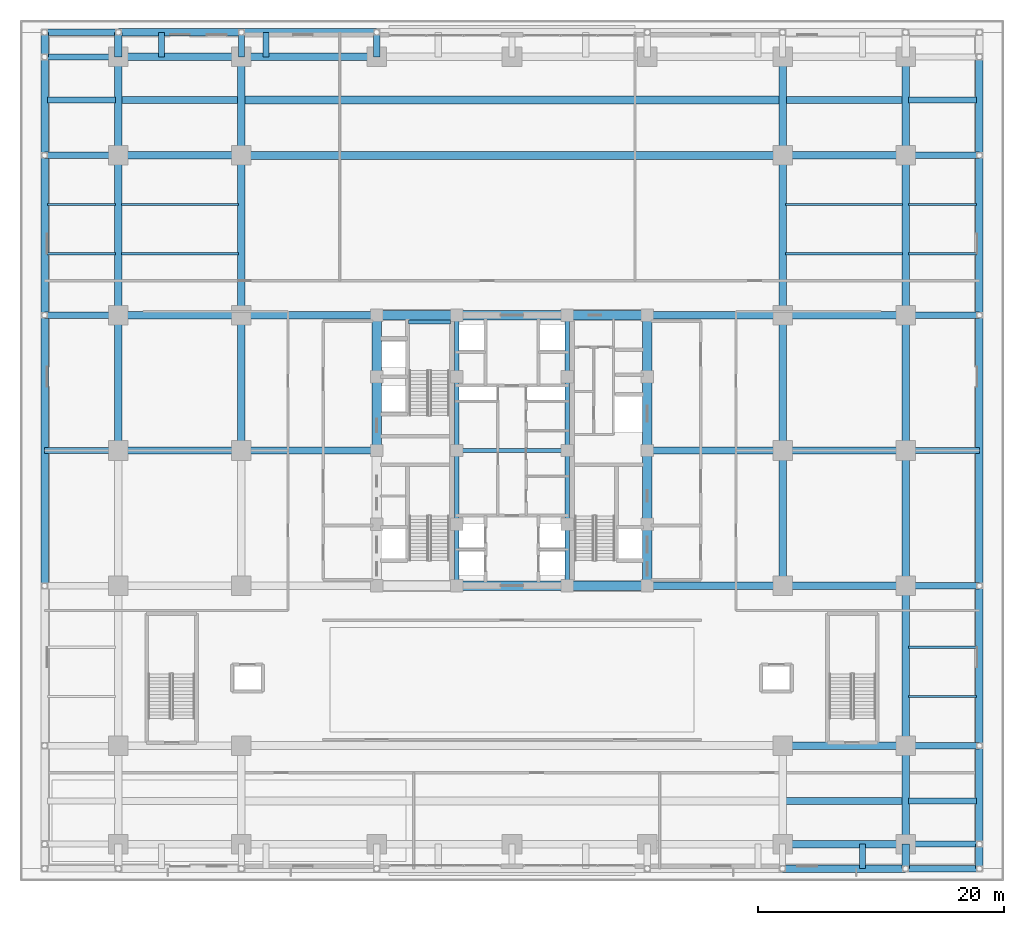
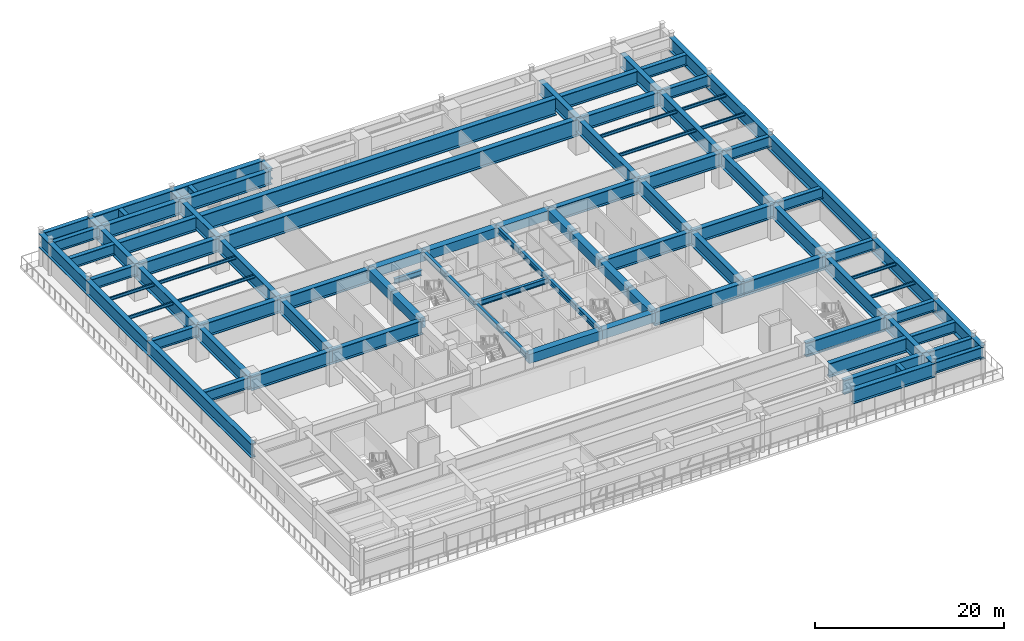
# One storey, part 16 of 35: 103 beams.
"""IFC4 building model written with IfcOpenShell, lengths in metres."""

import ifcopenshell
import ifcopenshell.guid

model = None  # the IFC model being written
_history = None  # IfcOwnerHistory: only IFC2X3 demands one
_inside = {}  # id of a spatial element -> (the spatial element, [elements in it])
_under = {}  # id of a project, library or spatial element -> (it, [spatial elements below it])
_declared = {}  # id of a project -> (the project, [libraries it declares])
_typed = {}  # id of a type object -> (the type object, [elements of that type])
_made_of = {}  # id of a material, layer set ... -> (it, [elements and type objects made of it])


def new_model(schema):
    """Start an empty IFC model of exactly this schema.

    Asked for "IFC4X3", IfcOpenShell would pick the latest addendum, in which some entities
    have other attributes; the version numbers below select the first issue.
    IFC2X3 requires an IfcOwnerHistory on every rooted entity: one is made here for all.
    """
    global model, _history
    if schema == "IFC4X3":
        model = ifcopenshell.file(schema_version=(4, 3, 0, 0))
    else:
        model = ifcopenshell.file(schema=schema)
    _inside.clear()
    _under.clear()
    _declared.clear()
    _typed.clear()
    _made_of.clear()
    _history = None
    if model.schema == "IFC2X3":
        org = make("IfcOrganization", Name="unknown")
        user = make(
            "IfcPersonAndOrganization",
            ThePerson=make("IfcPerson", FamilyName="unknown"),
            TheOrganization=org,
        )
        app = make(
            "IfcApplication",
            ApplicationDeveloper=org,
            Version="unknown",
            ApplicationFullName="unknown",
            ApplicationIdentifier="unknown",
        )
        _history = make(
            "IfcOwnerHistory",
            OwningUser=user,
            OwningApplication=app,
            ChangeAction="ADDED",
            CreationDate=0,
        )
    return model


def make(cls, **values):
    """One entity of the class cls with the attributes given. An attribute that is None is left unset."""
    return model.create_entity(
        cls, **{name: value for name, value in values.items() if value is not None}
    )


def rooted(cls, **values):
    """An entity with a GlobalId (a new one), such as an element, a storey or a relation."""
    return make(cls, GlobalId=ifcopenshell.guid.new(), OwnerHistory=_history, **values)


def si_unit(unit_type, name, prefix=None):
    """IfcSIUnit, for example si_unit("LENGTHUNIT", "METRE", prefix="MILLI")."""
    return make("IfcSIUnit", UnitType=unit_type, Prefix=prefix, Name=name)


def assignment(units):
    """IfcUnitAssignment: the units of a project."""
    return None if units is None else make("IfcUnitAssignment", Units=units)


def point(xyz):
    """IfcCartesianPoint."""
    return None if xyz is None else make("IfcCartesianPoint", Coordinates=xyz)


def direction(xyz):
    """IfcDirection."""
    return None if xyz is None else make("IfcDirection", DirectionRatios=xyz)


def frame(location, z_axis=None, x_axis=None):
    """IfcAxis2Placement3D, a coordinate frame: its origin and axes. An axis left out is left unset."""
    return make(
        "IfcAxis2Placement3D",
        Location=point(location),
        Axis=direction(z_axis),
        RefDirection=direction(x_axis),
    )


def frame_2d(location, x_axis=None):
    """IfcAxis2Placement2D, a coordinate frame in the plane: its origin and x axis."""
    return make(
        "IfcAxis2Placement2D", Location=point(location), RefDirection=direction(x_axis)
    )


def origin():
    """The frame at (0, 0, 0) with its axes left unset."""
    return frame((0.0, 0.0, 0.0))


def origin_2d():
    """The frame at (0, 0) in the plane with its x axis left unset."""
    return frame_2d((0.0, 0.0))


def place(relative_to, where):
    """IfcLocalPlacement: puts the frame where relative to a parent placement (None: the world)."""
    return make(
        "IfcLocalPlacement", PlacementRelTo=relative_to, RelativePlacement=where
    )


def context(
    kind, dimensions, precision=None, world=None, true_north=None, identifier=None
):
    """IfcGeometricRepresentationContext, for example the 3D "Model" context."""
    return make(
        "IfcGeometricRepresentationContext",
        ContextIdentifier=identifier,
        ContextType=kind,
        CoordinateSpaceDimension=dimensions,
        Precision=precision,
        WorldCoordinateSystem=world,
        TrueNorth=true_north,
    )


def subcontext(parent, identifier, kind, view, scale=None):
    """IfcGeometricRepresentationSubContext, for example "Body" below "Model"."""
    return make(
        "IfcGeometricRepresentationSubContext",
        ContextIdentifier=identifier,
        ContextType=kind,
        ParentContext=parent,
        TargetScale=scale,
        TargetView=view,
    )


def project(units=None, contexts=None):
    """IfcProject with its units and contexts."""
    return rooted(
        "IfcProject",
        Name="project",
        RepresentationContexts=contexts,
        UnitsInContext=assignment(units),
    )


def spatial(cls, under=None, at=None, **own):
    """A site, building, storey or space (cls), placed at a placement, below another one or the project."""
    s = rooted(cls, ObjectPlacement=at, **own)
    if under is not None:
        _under.setdefault(under.id(), (under, []))[1].append(s)
    return s


def profile(cls, at=None, kind="AREA", **sizes):
    """A parametric profile (cls). Its sizes go by their IFC names, for example OverallWidth=200.0."""
    return make(cls, ProfileType=kind, Position=at, **sizes)


def rectangle(**sizes):
    """IfcRectangleProfileDef."""
    return profile("IfcRectangleProfileDef", **sizes)


def i_section(**sizes):
    """IfcIShapeProfileDef."""
    return profile("IfcIShapeProfileDef", **sizes)


def extrude(swept, where, along, depth):
    """IfcExtrudedAreaSolid: the profile swept, set in the frame where, extruded along a direction by depth."""
    return make(
        "IfcExtrudedAreaSolid",
        SweptArea=swept,
        Position=where,
        ExtrudedDirection=direction(along),
        Depth=depth,
    )


def shape(context_of_items, identifier, shape_type, items):
    """IfcShapeRepresentation: the items that make up one representation, for example the "Body"."""
    return make(
        "IfcShapeRepresentation",
        ContextOfItems=context_of_items,
        RepresentationIdentifier=identifier,
        RepresentationType=shape_type,
        Items=items,
    )


def source(mapping_origin, context_of_items, identifier, shape_type, items):
    """IfcRepresentationMap: a shape defined once, which mapped items show again and again."""
    return make(
        "IfcRepresentationMap",
        MappingOrigin=mapping_origin,
        MappedRepresentation=shape(context_of_items, identifier, shape_type, items),
    )


def transform(
    local_origin,
    x_axis=None,
    y_axis=None,
    z_axis=None,
    scale=None,
    scale2=None,
    scale3=None,
    uniform=True,
):
    """IfcCartesianTransformationOperator3D, or its non-uniform kind. x_axis, y_axis, z_axis: its Axis1, 2, 3."""
    if uniform:
        return make(
            "IfcCartesianTransformationOperator3D",
            Axis1=direction(x_axis),
            Axis2=direction(y_axis),
            LocalOrigin=point(local_origin),
            Scale=scale,
            Axis3=direction(z_axis),
        )
    return make(
        "IfcCartesianTransformationOperator3DnonUniform",
        Axis1=direction(x_axis),
        Axis2=direction(y_axis),
        LocalOrigin=point(local_origin),
        Scale=scale,
        Axis3=direction(z_axis),
        Scale2=scale2,
        Scale3=scale3,
    )


def mapped(mapping_source, mapping_target):
    """IfcMappedItem: shows the shape of a source again, moved by a transform."""
    return make(
        "IfcMappedItem", MappingSource=mapping_source, MappingTarget=mapping_target
    )


def material(Name=None, Category=None):
    """IfcMaterial."""
    return make("IfcMaterial", Name=Name, Category=Category)


def material_profile(
    of_material, cross_section, Name=None, Category=None, Priority=None
):
    """IfcMaterialProfile: a cross section and its material."""
    return make(
        "IfcMaterialProfile",
        Name=Name,
        Material=of_material,
        Profile=cross_section,
        Priority=Priority,
        Category=Category,
    )


def profile_set(profiles, Name=None, composite=None):
    """IfcMaterialProfileSet."""
    return make(
        "IfcMaterialProfileSet",
        Name=Name,
        MaterialProfiles=profiles,
        CompositeProfile=composite,
    )


def made_of(thing, what):
    """Note that an element or type object is made of a material, layer set ...; save() writes the relation."""
    if what is not None:
        _made_of.setdefault(what.id(), (what, []))[1].append(thing)
    return thing


def type_object(cls, material=None, **own):
    """A type object (cls), such as IfcWallType, which elements share."""
    return made_of(rooted(cls, **own), material)


def element(
    cls,
    number,
    at=None,
    inside=None,
    cuts=None,
    type_object=None,
    material=None,
    context=None,
    identifier="Body",
    shape_type=None,
    held_by="IfcProductDefinitionShape",
    body=None,
    shapes=None,
    **own,
):
    """One element of the class cls, such as IfcWall. Its Tag is "e" and its number.

    at: its placement. inside: the storey or other place that contains it. cuts: it is an
    opening in that element (IfcRelVoidsElement). A single representation is given by context,
    identifier, shape_type and body (its items); several are given by shapes. held_by: the class
    of the entity that holds the representations. save() writes the other relations.
    """
    e = rooted(cls, Tag="e%d" % number, ObjectPlacement=at, **own)
    if body is not None:
        shapes = [shape(context, identifier, shape_type, body)]
    if shapes is not None:
        e.Representation = make(held_by, Representations=shapes)
    if inside is not None:
        _inside.setdefault(inside.id(), (inside, []))[1].append(e)
    if cuts is not None:
        rooted(
            "IfcRelVoidsElement", RelatingBuildingElement=cuts, RelatedOpeningElement=e
        )
    if type_object is not None:
        _typed.setdefault(type_object.id(), (type_object, []))[1].append(e)
    return made_of(e, material)


def aggregate(whole, parts):
    """IfcRelAggregates: a whole, such as a stair, and the parts it consists of."""
    return rooted("IfcRelAggregates", RelatingObject=whole, RelatedObjects=parts)


def save(model, path):
    """Write the relations noted so far, then the file.

    IfcRelAggregates (storeys below a building ...), IfcRelContainedInSpatialStructure (elements
    in a storey), IfcRelDefinesByType, IfcRelAssociatesMaterial and IfcRelDeclares: one each for
    every whole, place, type object, material and project.
    """
    for whole, parts in _under.values():
        aggregate(whole, parts)
    for where, things in _inside.values():
        rooted(
            "IfcRelContainedInSpatialStructure",
            RelatedElements=things,
            RelatingStructure=where,
        )
    for kind, things in _typed.values():
        rooted("IfcRelDefinesByType", RelatedObjects=things, RelatingType=kind)
    for what, things in _made_of.values():
        rooted("IfcRelAssociatesMaterial", RelatedObjects=things, RelatingMaterial=what)
    for by, libraries in _declared.values():
        rooted("IfcRelDeclares", RelatingContext=by, RelatedDefinitions=libraries)
    model.write(path)


model = new_model("IFC4")

# Units and contexts
model_context = context("Model", 3, precision=1e-05, world=origin(), true_north=direction((0.0, 1.0)))
body_context = subcontext(model_context, "Body", "Model", "MODEL_VIEW")
ifc_project = project(units=[si_unit("LENGTHUNIT", "METRE"), si_unit("AREAUNIT", "SQUARE_METRE"), si_unit("VOLUMEUNIT", "CUBIC_METRE"), si_unit("PLANEANGLEUNIT", "RADIAN"), si_unit("MASSUNIT", "GRAM", prefix="KILO")], contexts=[model_context])

# Site, building, storey
site_placement = place(None, origin())
site = spatial("IfcSite", under=ifc_project, at=site_placement, CompositionType="ELEMENT")
building_placement = place(site_placement, origin())
building = spatial("IfcBuilding", under=site, at=building_placement, Name="Khorayat Bourse Tower", CompositionType="ELEMENT")
storey_placement = place(building_placement, frame((0.0, 0.0, 22.199951171875)))
storey = spatial("IfcBuildingStorey", under=building, at=storey_placement, Name="L04", CompositionType="ELEMENT", Elevation=22.199951171875)

# Beams
ifc_material_1 = material(Name="Concrete C72/90", Category="concrete")
ifc_material_profile_1 = material_profile(ifc_material_1, rectangle(XDim=0.800048828125, YDim=1.199951171875, at=origin_2d()), Name="RC 800x1200")
ifc_profile_set_1 = profile_set([ifc_material_profile_1], Name="Concrete C72/90")
beam_type_1 = type_object("IfcBeamType", Name="BM-COUP-1200", PredefinedType="BEAM", material=ifc_profile_set_1)
shared_shape_1 = source(origin(), body_context, "Body", "SweptSolid", [
    extrude(rectangle(XDim=0.800048828125, YDim=1.199951171875, at=origin_2d()), origin(), (0.0, 0.0, 1.0), 5.0),
])
for number, where, z_axis, x_axis, name in (
    (1, (-11.0, 6.0, 3.60009765625), (0.0, 1.0, 0.0), (-1.0, 0.0, 0.0), "L04 BM-COUP-1200 BM-L04-CRX-04"),
    (2, (11.0, -11.0, 3.60009765625), (0.0, 1.0, 0.0), (-1.0, 0.0, 0.0), "L04 BM-COUP-1200 BM-L04-CRX-13"),
    (3, (11.0, 6.0, 3.60009765625), (0.0, 1.0, 0.0), (-1.0, 0.0, 0.0), "L04 BM-COUP-1200 BM-L04-CRX-16"),
):
    element("IfcBeam", number, at=place(storey_placement, frame(where, z_axis=z_axis, x_axis=x_axis)), inside=storey, type_object=beam_type_1, Name=name, PredefinedType="BEAM", context=body_context, shape_type="MappedRepresentation", body=[
        mapped(shared_shape_1, transform((0.0, 0.0, 0.0), scale=1.0)),
    ])
shared_shape_2 = source(origin(), body_context, "Body", "SweptSolid", [
    extrude(rectangle(XDim=0.800048828125, YDim=1.199951171875, at=origin_2d()), origin(), (0.0, 0.0, 1.0), 6.0),
])
for number, where, z_axis, x_axis, name in (
    (4, (-11.0, 0.0, 3.60009765625), (0.0, 1.0, 0.0), (-1.0, 0.0, 0.0), "L04 BM-COUP-1200 BM-L04-CRX-03"),
    (5, (11.0, -6.0, 3.60009765625), (0.0, 1.0, 0.0), (-1.0, 0.0, 0.0), "L04 BM-COUP-1200 BM-L04-CRX-14"),
    (6, (11.0, 0.0, 3.60009765625), (0.0, 1.0, 0.0), (-1.0, 0.0, 0.0), "L04 BM-COUP-1200 BM-L04-CRX-15"),
):
    element("IfcBeam", number, at=place(storey_placement, frame(where, z_axis=z_axis, x_axis=x_axis)), inside=storey, type_object=beam_type_1, Name=name, PredefinedType="BEAM", context=body_context, shape_type="MappedRepresentation", body=[
        mapped(shared_shape_2, transform((0.0, 0.0, 0.0), scale=1.0)),
    ])
ifc_material_2 = material(Name="Steel ASTM A992 Grade 50", Category="steel")
ifc_material_profile_2 = material_profile(ifc_material_2, i_section(OverallWidth=0.35498046875, OverallDepth=0.695068359375, WebThickness=0.015380859375, FlangeThickness=0.02490234375, FilletRadius=0.01806640625, at=origin_2d()), Name="W690X217")
ifc_profile_set_2 = profile_set([ifc_material_profile_2], Name="Steel ASTM A992 Grade 50")
beam_type_2 = type_object("IfcBeamType", Name="BM-GIRD-690", PredefinedType="BEAM", material=ifc_profile_set_2)
shared_shape_3 = source(origin(), body_context, "Body", "SweptSolid", [
    extrude(i_section(OverallWidth=0.35498046875, OverallDepth=0.695068359375, WebThickness=0.015380859375, FlangeThickness=0.02490234375, FilletRadius=0.01806640625, at=origin_2d()), origin(), (0.0, 0.0, 1.0), 5.0),
])
for number, where, z_axis, x_axis, name in (
    (7, (-4.5, -11.0, 3.8525390625), (0.0, 1.0, 0.0), (-1.0, 0.0, 0.0), "L04 BM-GIRD-690 BM-L04-CRX-05"),
    (8, (-4.5, 6.0, 3.8525390625), (0.0, 1.0, 0.0), (-1.0, 0.0, 0.0), "L04 BM-GIRD-690 BM-L04-CRX-08"),
    (9, (4.5, -11.0, 3.8525390625), (0.0, 1.0, 0.0), (-1.0, 0.0, 0.0), "L04 BM-GIRD-690 BM-L04-CRX-09"),
    (10, (4.5, 6.0, 3.8525390625), (0.0, 1.0, 0.0), (-1.0, 0.0, 0.0), "L04 BM-GIRD-690 BM-L04-CRX-12"),
):
    element("IfcBeam", number, at=place(storey_placement, frame(where, z_axis=z_axis, x_axis=x_axis)), inside=storey, type_object=beam_type_2, Name=name, PredefinedType="BEAM", context=body_context, shape_type="MappedRepresentation", body=[
        mapped(shared_shape_3, transform((0.0, 0.0, 0.0), scale=1.0)),
    ])
shared_shape_4 = source(origin(), body_context, "Body", "SweptSolid", [
    extrude(i_section(OverallWidth=0.35498046875, OverallDepth=0.695068359375, WebThickness=0.015380859375, FlangeThickness=0.02490234375, FilletRadius=0.01806640625, at=origin_2d()), origin(), (0.0, 0.0, 1.0), 6.0),
])
for number, where, z_axis, x_axis, name in (
    (11, (-4.5, -6.0, 3.8525390625), (0.0, 1.0, 0.0), (-1.0, 0.0, 0.0), "L04 BM-GIRD-690 BM-L04-CRX-06"),
    (12, (-4.5, 0.0, 3.8525390625), (0.0, 1.0, 0.0), (-1.0, 0.0, 0.0), "L04 BM-GIRD-690 BM-L04-CRX-07"),
    (13, (4.5, -6.0, 3.8525390625), (0.0, 1.0, 0.0), (-1.0, 0.0, 0.0), "L04 BM-GIRD-690 BM-L04-CRX-10"),
    (14, (4.5, 0.0, 3.8525390625), (0.0, 1.0, 0.0), (-1.0, 0.0, 0.0), "L04 BM-GIRD-690 BM-L04-CRX-11"),
):
    element("IfcBeam", number, at=place(storey_placement, frame(where, z_axis=z_axis, x_axis=x_axis)), inside=storey, type_object=beam_type_2, Name=name, PredefinedType="BEAM", context=body_context, shape_type="MappedRepresentation", body=[
        mapped(shared_shape_4, transform((0.0, 0.0, 0.0), scale=1.0)),
    ])
shared_shape_5 = source(origin(), body_context, "Body", "SweptSolid", [
    extrude(rectangle(XDim=0.800048828125, YDim=1.199951171875, at=origin_2d()), origin(), (0.0, 0.0, 1.0), 6.5),
])
for number, where, z_axis, x_axis, name in (
    (15, (4.5, -11.0, 3.60009765625), (1.0, 0.0, 0.0), (0.0, 1.0, 0.0), "L04 BM-COUP-1200 BM-L04-CRY-19"),
    (16, (-11.0, 11.0, 3.60009765625), (1.0, 0.0, 0.0), (0.0, 1.0, 0.0), "L04 BM-COUP-1200 BM-L04-CRY-20"),
    (17, (4.5, 11.0, 3.60009765625), (1.0, 0.0, 0.0), (0.0, 1.0, 0.0), "L04 BM-COUP-1200 BM-L04-CRY-22"),
):
    element("IfcBeam", number, at=place(storey_placement, frame(where, z_axis=z_axis, x_axis=x_axis)), inside=storey, type_object=beam_type_1, Name=name, PredefinedType="BEAM", context=body_context, shape_type="MappedRepresentation", body=[
        mapped(shared_shape_5, transform((0.0, 0.0, 0.0), scale=1.0)),
    ])
shared_shape_6 = source(origin(), body_context, "Body", "SweptSolid", [
    extrude(rectangle(XDim=0.800048828125, YDim=1.199951171875, at=origin_2d()), origin(), (0.0, 0.0, 1.0), 9.0),
])
for number, where, z_axis, x_axis, name in (
    (18, (-4.5, -11.0, 3.60009765625), (1.0, 0.0, 0.0), (0.0, 1.0, 0.0), "L04 BM-COUP-1200 BM-L04-CRY-18"),
    (19, (-4.5, 11.0, 3.60009765625), (1.0, 0.0, 0.0), (0.0, 1.0, 0.0), "L04 BM-COUP-1200 BM-L04-CRY-21"),
):
    element("IfcBeam", number, at=place(storey_placement, frame(where, z_axis=z_axis, x_axis=x_axis)), inside=storey, type_object=beam_type_1, Name=name, PredefinedType="BEAM", context=body_context, shape_type="MappedRepresentation", body=[
        mapped(shared_shape_6, transform((0.0, 0.0, 0.0), scale=1.0)),
    ])
shared_shape_7 = source(origin(), body_context, "Body", "SweptSolid", [
    extrude(i_section(OverallWidth=0.35498046875, OverallDepth=0.695068359375, WebThickness=0.015380859375, FlangeThickness=0.02490234375, FilletRadius=0.01806640625, at=origin_2d()), origin(), (0.0, 0.0, 1.0), 3.39990234375),
])
beam_1_placement = place(storey_placement, frame((-8.419921875, 10.449951171875, 1.8525390625), z_axis=(1.0, 0.0, 0.0), x_axis=(0.0, 1.0, 0.0)))
element("IfcBeam", 20, at=beam_1_placement, inside=storey, type_object=beam_type_2, Name="L04 BM-GIRD-690 BM-L04-ST2L", PredefinedType="BEAM", context=body_context, shape_type="MappedRepresentation", body=[
    mapped(shared_shape_7, transform((0.0, 0.0, 0.0), scale=1.0)),
])
shared_shape_8 = source(origin(), body_context, "Body", "SweptSolid", [
    extrude(i_section(OverallWidth=0.35498046875, OverallDepth=0.695068359375, WebThickness=0.015380859375, FlangeThickness=0.02490234375, FilletRadius=0.01806640625, at=origin_2d()), origin(), (0.0, 0.0, 1.0), 9.0),
])
beam_2_placement = place(storey_placement, frame((-4.5, 0.0, 3.8525390625), z_axis=(1.0, 0.0, 0.0), x_axis=(0.0, 1.0, 0.0)))
element("IfcBeam", 21, at=beam_2_placement, inside=storey, type_object=beam_type_2, Name="L04 BM-GIRD-690 BM-L04-CRY-23", PredefinedType="BEAM", context=body_context, shape_type="MappedRepresentation", body=[
    mapped(shared_shape_8, transform((0.0, 0.0, 0.0), scale=1.0)),
])
ifc_material_3 = material(Name="Steel EN 10025-4 S460M", Category="steel")
ifc_material_profile_3 = material_profile(ifc_material_3, i_section(OverallWidth=0.60009765625, OverallDepth=1.800048828125, WebThickness=0.031982421875, FlangeThickness=0.06005859375, at=origin_2d()), Name="PG 1800x600x32x60")
ifc_profile_set_3 = profile_set([ifc_material_profile_3], Name="Steel EN 10025-4 S460M")
beam_type_3 = type_object("IfcBeamType", Name="BM-TR-1800", PredefinedType="BEAM", material=ifc_profile_set_3)
shared_shape_9 = source(origin(), body_context, "Body", "SweptSolid", [
    extrude(i_section(OverallWidth=0.60009765625, OverallDepth=1.800048828125, WebThickness=0.031982421875, FlangeThickness=0.06005859375, at=origin_2d()), origin(), (0.0, 0.0, 1.0), 10.0),
])
for number, where, z_axis, x_axis, name in (
    (22, (22.0, -34.0, 3.300048828125), (1.0, 0.0, 0.0), (0.0, 1.0, 0.0), "L04 BM-TR-1800 BM-L04-PGX-029"),
    (23, (22.0, -32.0, 3.300048828125), (1.0, 0.0, 0.0), (0.0, 1.0, 0.0), "L04 BM-TR-1800 BM-L04-PGX-037"),
    (24, (22.0, -24.0, 3.300048828125), (1.0, 0.0, 0.0), (0.0, 1.0, 0.0), "L04 BM-TR-1800 BM-L04-PGX-047"),
    (25, (22.0, -11.0, 3.300048828125), (1.0, 0.0, 0.0), (0.0, 1.0, 0.0), "L04 BM-TR-1800 BM-L04-PGX-056"),
    (26, (-32.0, 0.0, 3.300048828125), (1.0, 0.0, 0.0), (0.0, 1.0, 0.0), "L04 BM-TR-1800 BM-L04-PGX-059"),
    (27, (22.0, 0.0, 3.300048828125), (1.0, 0.0, 0.0), (0.0, 1.0, 0.0), "L04 BM-TR-1800 BM-L04-PGX-062"),
    (28, (-32.0, 11.0, 3.300048828125), (1.0, 0.0, 0.0), (0.0, 1.0, 0.0), "L04 BM-TR-1800 BM-L04-PGX-065"),
    (29, (22.0, 11.0, 3.300048828125), (1.0, 0.0, 0.0), (0.0, 1.0, 0.0), "L04 BM-TR-1800 BM-L04-PGX-071"),
    (30, (-32.0, 24.0, 3.300048828125), (1.0, 0.0, 0.0), (0.0, 1.0, 0.0), "L04 BM-TR-1800 BM-L04-PGX-074"),
    (31, (22.0, 24.0, 3.300048828125), (1.0, 0.0, 0.0), (0.0, 1.0, 0.0), "L04 BM-TR-1800 BM-L04-PGX-076"),
    (32, (-32.0, 32.0, 3.300048828125), (1.0, 0.0, 0.0), (0.0, 1.0, 0.0), "L04 BM-TR-1800 BM-L04-PGX-084"),
    (33, (-32.0, 34.0, 3.300048828125), (1.0, 0.0, 0.0), (0.0, 1.0, 0.0), "L04 BM-TR-1800 BM-L04-PGX-092"),
):
    element("IfcBeam", number, at=place(storey_placement, frame(where, z_axis=z_axis, x_axis=x_axis)), inside=storey, type_object=beam_type_3, Name=name, PredefinedType="BEAM", context=body_context, shape_type="MappedRepresentation", body=[
        mapped(shared_shape_9, transform((0.0, 0.0, 0.0), scale=1.0)),
    ])
shared_shape_10 = source(origin(), body_context, "Body", "SweptSolid", [
    extrude(i_section(OverallWidth=0.60009765625, OverallDepth=1.800048828125, WebThickness=0.031982421875, FlangeThickness=0.06005859375, at=origin_2d()), origin(), (0.0, 0.0, 1.0), 11.0),
])
for number, where, z_axis, x_axis, name in (
    (34, (11.0, -11.0, 3.300048828125), (1.0, 0.0, 0.0), (0.0, 1.0, 0.0), "L04 BM-TR-1800 BM-L04-PGX-055"),
    (35, (-22.0, 0.0, 3.300048828125), (1.0, 0.0, 0.0), (0.0, 1.0, 0.0), "L04 BM-TR-1800 BM-L04-PGX-060"),
    (36, (11.0, 0.0, 3.300048828125), (1.0, 0.0, 0.0), (0.0, 1.0, 0.0), "L04 BM-TR-1800 BM-L04-PGX-061"),
    (37, (-22.0, 11.0, 3.300048828125), (1.0, 0.0, 0.0), (0.0, 1.0, 0.0), "L04 BM-TR-1800 BM-L04-PGX-066"),
    (38, (11.0, 11.0, 3.300048828125), (1.0, 0.0, 0.0), (0.0, 1.0, 0.0), "L04 BM-TR-1800 BM-L04-PGX-070"),
    (39, (-22.0, 32.0, 3.300048828125), (1.0, 0.0, 0.0), (0.0, 1.0, 0.0), "L04 BM-TR-1800 BM-L04-PGX-085"),
    (40, (-22.0, 34.0, 3.300048828125), (1.0, 0.0, 0.0), (0.0, 1.0, 0.0), "L04 BM-TR-1800 BM-L04-PGX-093"),
    (41, (-32.0, 0.0, 3.300048828125), (0.0, 1.0, 0.0), (-1.0, 0.0, 0.0), "L04 BM-TR-1800 BM-L04-PGY-109"),
    (42, (-22.0, 0.0, 3.300048828125), (0.0, 1.0, 0.0), (-1.0, 0.0, 0.0), "L04 BM-TR-1800 BM-L04-PGY-118"),
    (43, (22.0, -11.0, 3.300048828125), (0.0, 1.0, 0.0), (-1.0, 0.0, 0.0), "L04 BM-TR-1800 BM-L04-PGY-141"),
    (44, (22.0, 0.0, 3.300048828125), (0.0, 1.0, 0.0), (-1.0, 0.0, 0.0), "L04 BM-TR-1800 BM-L04-PGY-142"),
    (45, (32.0, -11.0, 3.300048828125), (0.0, 1.0, 0.0), (-1.0, 0.0, 0.0), "L04 BM-TR-1800 BM-L04-PGY-151"),
    (46, (32.0, 0.0, 3.300048828125), (0.0, 1.0, 0.0), (-1.0, 0.0, 0.0), "L04 BM-TR-1800 BM-L04-PGY-152"),
):
    element("IfcBeam", number, at=place(storey_placement, frame(where, z_axis=z_axis, x_axis=x_axis)), inside=storey, type_object=beam_type_3, Name=name, PredefinedType="BEAM", context=body_context, shape_type="MappedRepresentation", body=[
        mapped(shared_shape_10, transform((0.0, 0.0, 0.0), scale=1.0)),
    ])
shared_shape_11 = source(origin(), body_context, "Body", "SweptSolid", [
    extrude(i_section(OverallWidth=0.60009765625, OverallDepth=1.800048828125, WebThickness=0.031982421875, FlangeThickness=0.06005859375, at=origin_2d()), origin(), (0.0, 0.0, 1.0), 8.0),
])
for number, where, z_axis, x_axis, name in (
    (47, (-38.0, 24.0, 3.300048828125), (0.0, 1.0, 0.0), (-1.0, 0.0, 0.0), "L04 BM-TR-1800 BM-L04-PGY-103"),
    (48, (-32.0, 24.0, 3.300048828125), (0.0, 1.0, 0.0), (-1.0, 0.0, 0.0), "L04 BM-TR-1800 BM-L04-PGY-111"),
    (49, (-22.0, 24.0, 3.300048828125), (0.0, 1.0, 0.0), (-1.0, 0.0, 0.0), "L04 BM-TR-1800 BM-L04-PGY-120"),
    (50, (22.0, 24.0, 3.300048828125), (0.0, 1.0, 0.0), (-1.0, 0.0, 0.0), "L04 BM-TR-1800 BM-L04-PGY-144"),
    (51, (32.0, -32.0, 3.300048828125), (0.0, 1.0, 0.0), (-1.0, 0.0, 0.0), "L04 BM-TR-1800 BM-L04-PGY-149"),
    (52, (32.0, 24.0, 3.300048828125), (0.0, 1.0, 0.0), (-1.0, 0.0, 0.0), "L04 BM-TR-1800 BM-L04-PGY-154"),
    (53, (38.0, -32.0, 3.300048828125), (0.0, 1.0, 0.0), (-1.0, 0.0, 0.0), "L04 BM-TR-1800 BM-L04-PGY-157"),
    (54, (38.0, 24.0, 3.300048828125), (0.0, 1.0, 0.0), (-1.0, 0.0, 0.0), "L04 BM-TR-1800 BM-L04-PGY-161"),
):
    element("IfcBeam", number, at=place(storey_placement, frame(where, z_axis=z_axis, x_axis=x_axis)), inside=storey, type_object=beam_type_3, Name=name, PredefinedType="BEAM", context=body_context, shape_type="MappedRepresentation", body=[
        mapped(shared_shape_11, transform((0.0, 0.0, 0.0), scale=1.0)),
    ])
shared_shape_12 = source(origin(), body_context, "Body", "SweptSolid", [
    extrude(i_section(OverallWidth=0.60009765625, OverallDepth=1.800048828125, WebThickness=0.031982421875, FlangeThickness=0.06005859375, at=origin_2d()), origin(), (0.0, 0.0, 1.0), 13.0),
])
for number, where, z_axis, x_axis, name in (
    (55, (-38.0, 11.0, 3.300048828125), (0.0, 1.0, 0.0), (-1.0, 0.0, 0.0), "L04 BM-TR-1800 BM-L04-PGY-102"),
    (56, (-32.0, 11.0, 3.300048828125), (0.0, 1.0, 0.0), (-1.0, 0.0, 0.0), "L04 BM-TR-1800 BM-L04-PGY-110"),
    (57, (-22.0, 11.0, 3.300048828125), (0.0, 1.0, 0.0), (-1.0, 0.0, 0.0), "L04 BM-TR-1800 BM-L04-PGY-119"),
    (58, (22.0, 11.0, 3.300048828125), (0.0, 1.0, 0.0), (-1.0, 0.0, 0.0), "L04 BM-TR-1800 BM-L04-PGY-143"),
    (59, (32.0, -24.0, 3.300048828125), (0.0, 1.0, 0.0), (-1.0, 0.0, 0.0), "L04 BM-TR-1800 BM-L04-PGY-150"),
    (60, (32.0, 11.0, 3.300048828125), (0.0, 1.0, 0.0), (-1.0, 0.0, 0.0), "L04 BM-TR-1800 BM-L04-PGY-153"),
    (61, (38.0, -24.0, 3.300048828125), (0.0, 1.0, 0.0), (-1.0, 0.0, 0.0), "L04 BM-TR-1800 BM-L04-PGY-158"),
    (62, (38.0, 11.0, 3.300048828125), (0.0, 1.0, 0.0), (-1.0, 0.0, 0.0), "L04 BM-TR-1800 BM-L04-PGY-160"),
):
    element("IfcBeam", number, at=place(storey_placement, frame(where, z_axis=z_axis, x_axis=x_axis)), inside=storey, type_object=beam_type_3, Name=name, PredefinedType="BEAM", context=body_context, shape_type="MappedRepresentation", body=[
        mapped(shared_shape_12, transform((0.0, 0.0, 0.0), scale=1.0)),
    ])
ifc_material_profile_4 = material_profile(ifc_material_3, i_section(OverallWidth=0.5, OverallDepth=1.39990234375, WebThickness=0.02490234375, FlangeThickness=0.050048828125, at=origin_2d()), Name="PG 1400x500x25x50")
ifc_profile_set_4 = profile_set([ifc_material_profile_4], Name="Steel EN 10025-4 S460M")
beam_type_4 = type_object("IfcBeamType", Name="BM-TR-1400", PredefinedType="BEAM", material=ifc_profile_set_4)
shared_shape_13 = source(origin(), body_context, "Body", "SweptSolid", [
    extrude(i_section(OverallWidth=0.5, OverallDepth=1.39990234375, WebThickness=0.02490234375, FlangeThickness=0.050048828125, at=origin_2d()), origin(), (0.0, 0.0, 1.0), 6.0),
])
for number, where, z_axis, x_axis, name in (
    (63, (32.0, -34.0, 3.5), (1.0, 0.0, 0.0), (0.0, 1.0, 0.0), "L04 BM-TR-1400 BM-L04-PGX-030"),
    (64, (32.0, -32.0, 3.5), (1.0, 0.0, 0.0), (0.0, 1.0, 0.0), "L04 BM-TR-1400 BM-L04-PGX-038"),
    (65, (32.0, -24.0, 3.5), (1.0, 0.0, 0.0), (0.0, 1.0, 0.0), "L04 BM-TR-1400 BM-L04-PGX-048"),
    (66, (32.0, -11.0, 3.5), (1.0, 0.0, 0.0), (0.0, 1.0, 0.0), "L04 BM-TR-1400 BM-L04-PGX-057"),
    (67, (-38.0, 0.0, 3.5), (1.0, 0.0, 0.0), (0.0, 1.0, 0.0), "L04 BM-TR-1400 BM-L04-PGX-058"),
    (68, (32.0, 0.0, 3.5), (1.0, 0.0, 0.0), (0.0, 1.0, 0.0), "L04 BM-TR-1400 BM-L04-PGX-063"),
    (69, (-38.0, 11.0, 3.5), (1.0, 0.0, 0.0), (0.0, 1.0, 0.0), "L04 BM-TR-1400 BM-L04-PGX-064"),
    (70, (32.0, 11.0, 3.5), (1.0, 0.0, 0.0), (0.0, 1.0, 0.0), "L04 BM-TR-1400 BM-L04-PGX-072"),
    (71, (-38.0, 24.0, 3.5), (1.0, 0.0, 0.0), (0.0, 1.0, 0.0), "L04 BM-TR-1400 BM-L04-PGX-073"),
    (72, (32.0, 24.0, 3.5), (1.0, 0.0, 0.0), (0.0, 1.0, 0.0), "L04 BM-TR-1400 BM-L04-PGX-077"),
    (73, (-38.0, 32.0, 3.5), (1.0, 0.0, 0.0), (0.0, 1.0, 0.0), "L04 BM-TR-1400 BM-L04-PGX-083"),
    (74, (-38.0, 34.0, 3.5), (1.0, 0.0, 0.0), (0.0, 1.0, 0.0), "L04 BM-TR-1400 BM-L04-PGX-091"),
):
    element("IfcBeam", number, at=place(storey_placement, frame(where, z_axis=z_axis, x_axis=x_axis)), inside=storey, type_object=beam_type_4, Name=name, PredefinedType="BEAM", context=body_context, shape_type="MappedRepresentation", body=[
        mapped(shared_shape_13, transform((0.0, 0.0, 0.0), scale=1.0)),
    ])
ifc_material_profile_5 = material_profile(ifc_material_3, i_section(OverallWidth=0.64990234375, OverallDepth=2.199951171875, WebThickness=0.035888671875, FlangeThickness=0.06494140625, at=origin_2d()), Name="PG 2200x650x36x65")
ifc_profile_set_5 = profile_set([ifc_material_profile_5], Name="Steel EN 10025-4 S460M")
beam_type_5 = type_object("IfcBeamType", Name="BM-TR-2200", PredefinedType="BEAM", material=ifc_profile_set_5)
shared_shape_14 = source(origin(), body_context, "Body", "SweptSolid", [
    extrude(i_section(OverallWidth=0.64990234375, OverallDepth=2.199951171875, WebThickness=0.035888671875, FlangeThickness=0.06494140625, at=origin_2d()), origin(), (0.0, 0.0, 1.0), 44.0),
])
beam_3_placement = place(storey_placement, frame((-22.0, 24.0, 3.10009765625), z_axis=(1.0, 0.0, 0.0), x_axis=(0.0, 1.0, 0.0)))
element("IfcBeam", 75, at=beam_3_placement, inside=storey, type_object=beam_type_5, Name="L04 BM-TR-2200 BM-L04-PGX-075", PredefinedType="BEAM", context=body_context, shape_type="MappedRepresentation", body=[
    mapped(shared_shape_14, transform((0.0, 0.0, 0.0), scale=1.0)),
])
shared_shape_15 = source(origin(), body_context, "Body", "SweptSolid", [
    extrude(i_section(OverallWidth=0.64990234375, OverallDepth=2.199951171875, WebThickness=0.035888671875, FlangeThickness=0.06494140625, at=origin_2d()), origin(), (0.0, 0.0, 1.0), 43.52001953125),
])
beam_4_placement = place(storey_placement, frame((-21.760009765625, 28.5, 3.10009765625), z_axis=(1.0, 0.0, 0.0), x_axis=(0.0, 1.0, 0.0)))
element("IfcBeam", 76, at=beam_4_placement, inside=storey, type_object=beam_type_5, Name="L04 BM-TR-2200 BM-L04-PGX-080", PredefinedType="BEAM", context=body_context, shape_type="MappedRepresentation", body=[
    mapped(shared_shape_15, transform((0.0, 0.0, 0.0), scale=1.0)),
])
ifc_material_profile_6 = material_profile(ifc_material_2, i_section(OverallWidth=0.180908203125, OverallDepth=0.4169921875, WebThickness=0.010986328125, FlangeThickness=0.018310546875, FilletRadius=0.011962890625, at=origin_2d()), Name="W410X85")
ifc_profile_set_6 = profile_set([ifc_material_profile_6], Name="Steel ASTM A992 Grade 50")
beam_type_6 = type_object("IfcBeamType", Name="BM-JOIST-410", PredefinedType="JOIST", material=ifc_profile_set_6)
shared_shape_16 = source(origin(), body_context, "Body", "SweptSolid", [
    extrude(i_section(OverallWidth=0.180908203125, OverallDepth=0.4169921875, WebThickness=0.010986328125, FlangeThickness=0.018310546875, FilletRadius=0.011962890625, at=origin_2d()), origin(), (0.0, 0.0, 1.0), 9.52001953125),
])
for number, where, z_axis, x_axis, name in (
    (77, (-31.760009765625, 16.0, 3.991455078125), (1.0, 0.0, 0.0), (0.0, 1.0, 0.0), "L04 BM-JOIST-410 BM-L04-PJ-168"),
    (78, (22.239990234375, 16.0, 3.991455078125), (1.0, 0.0, 0.0), (0.0, 1.0, 0.0), "L04 BM-JOIST-410 BM-L04-PJ-169"),
    (79, (-31.760009765625, 20.0, 3.991455078125), (1.0, 0.0, 0.0), (0.0, 1.0, 0.0), "L04 BM-JOIST-410 BM-L04-PJ-172"),
    (80, (22.239990234375, 20.0, 3.991455078125), (1.0, 0.0, 0.0), (0.0, 1.0, 0.0), "L04 BM-JOIST-410 BM-L04-PJ-173"),
):
    element("IfcBeam", number, at=place(storey_placement, frame(where, z_axis=z_axis, x_axis=x_axis)), inside=storey, type_object=beam_type_6, Name=name, PredefinedType="JOIST", context=body_context, shape_type="MappedRepresentation", body=[
        mapped(shared_shape_16, transform((0.0, 0.0, 0.0), scale=1.0)),
    ])
shared_shape_17 = source(origin(), body_context, "Body", "SweptSolid", [
    extrude(i_section(OverallWidth=0.60009765625, OverallDepth=1.800048828125, WebThickness=0.031982421875, FlangeThickness=0.06005859375, at=origin_2d()), origin(), (0.0, 0.0, 1.0), 22.0),
])
for number, where, z_axis, x_axis, name in (
    (81, (-38.0, -11.0, 3.300048828125), (0.0, 1.0, 0.0), (-1.0, 0.0, 0.0), "L04 BM-TR-1800 BM-L04-PGY-101"),
    (82, (38.0, -11.0, 3.300048828125), (0.0, 1.0, 0.0), (-1.0, 0.0, 0.0), "L04 BM-TR-1800 BM-L04-PGY-159"),
):
    element("IfcBeam", number, at=place(storey_placement, frame(where, z_axis=z_axis, x_axis=x_axis)), inside=storey, type_object=beam_type_3, Name=name, PredefinedType="BEAM", context=body_context, shape_type="MappedRepresentation", body=[
        mapped(shared_shape_17, transform((0.0, 0.0, 0.0), scale=1.0)),
    ])
shared_shape_18 = source(origin(), body_context, "Body", "SweptSolid", [
    extrude(i_section(OverallWidth=0.5, OverallDepth=1.39990234375, WebThickness=0.02490234375, FlangeThickness=0.050048828125, at=origin_2d()), origin(), (0.0, 0.0, 1.0), 5.52001953125),
])
for number, where, z_axis, x_axis, name in (
    (83, (32.239990234375, -28.5, 3.5), (1.0, 0.0, 0.0), (0.0, 1.0, 0.0), "L04 BM-TR-1400 BM-L04-PGX-043"),
    (84, (-37.760009765625, 28.5, 3.5), (1.0, 0.0, 0.0), (0.0, 1.0, 0.0), "L04 BM-TR-1400 BM-L04-PGX-078"),
    (85, (32.239990234375, 28.5, 3.5), (1.0, 0.0, 0.0), (0.0, 1.0, 0.0), "L04 BM-TR-1400 BM-L04-PGX-082"),
):
    element("IfcBeam", number, at=place(storey_placement, frame(where, z_axis=z_axis, x_axis=x_axis)), inside=storey, type_object=beam_type_4, Name=name, PredefinedType="BEAM", context=body_context, shape_type="MappedRepresentation", body=[
        mapped(shared_shape_18, transform((0.0, 0.0, 0.0), scale=1.0)),
    ])
shared_shape_19 = source(origin(), body_context, "Body", "SweptSolid", [
    extrude(i_section(OverallWidth=0.60009765625, OverallDepth=1.800048828125, WebThickness=0.031982421875, FlangeThickness=0.06005859375, at=origin_2d()), origin(), (0.0, 0.0, 1.0), 9.52001953125),
])
for number, where, z_axis, x_axis, name in (
    (86, (22.239990234375, -28.5, 3.300048828125), (1.0, 0.0, 0.0), (0.0, 1.0, 0.0), "L04 BM-TR-1800 BM-L04-PGX-042"),
    (87, (-31.760009765625, 28.5, 3.300048828125), (1.0, 0.0, 0.0), (0.0, 1.0, 0.0), "L04 BM-TR-1800 BM-L04-PGX-079"),
    (88, (22.239990234375, 28.5, 3.300048828125), (1.0, 0.0, 0.0), (0.0, 1.0, 0.0), "L04 BM-TR-1800 BM-L04-PGX-081"),
):
    element("IfcBeam", number, at=place(storey_placement, frame(where, z_axis=z_axis, x_axis=x_axis)), inside=storey, type_object=beam_type_3, Name=name, PredefinedType="BEAM", context=body_context, shape_type="MappedRepresentation", body=[
        mapped(shared_shape_19, transform((0.0, 0.0, 0.0), scale=1.0)),
    ])
shared_shape_20 = source(origin(), body_context, "Body", "SweptSolid", [
    extrude(i_section(OverallWidth=0.60009765625, OverallDepth=1.800048828125, WebThickness=0.031982421875, FlangeThickness=0.06005859375, at=origin_2d()), origin(), (0.0, 0.0, 1.0), 2.0),
])
for number, where, z_axis, x_axis, name in (
    (89, (-38.0, 32.0, 3.300048828125), (0.0, 1.0, 0.0), (-1.0, 0.0, 0.0), "L04 BM-TR-1800 BM-L04-PGY-104"),
    (90, (-32.0, 32.0, 3.300048828125), (0.0, 1.0, 0.0), (-1.0, 0.0, 0.0), "L04 BM-TR-1800 BM-L04-PGY-112"),
    (91, (32.0, -34.0, 3.300048828125), (0.0, 1.0, 0.0), (-1.0, 0.0, 0.0), "L04 BM-TR-1800 BM-L04-PGY-148"),
    (92, (38.0, -34.0, 3.300048828125), (0.0, 1.0, 0.0), (-1.0, 0.0, 0.0), "L04 BM-TR-1800 BM-L04-PGY-156"),
):
    element("IfcBeam", number, at=place(storey_placement, frame(where, z_axis=z_axis, x_axis=x_axis)), inside=storey, type_object=beam_type_3, Name=name, PredefinedType="BEAM", context=body_context, shape_type="MappedRepresentation", body=[
        mapped(shared_shape_20, transform((0.0, 0.0, 0.0), scale=1.0)),
    ])
shared_shape_21 = source(origin(), body_context, "Body", "SweptSolid", [
    extrude(i_section(OverallWidth=0.5, OverallDepth=1.39990234375, WebThickness=0.02490234375, FlangeThickness=0.050048828125, at=origin_2d()), origin(), (0.0, 0.0, 1.0), 2.0),
])
for number, where, z_axis, x_axis, name in (
    (93, (-28.5, 32.0, 3.5), (0.0, 1.0, 0.0), (-1.0, 0.0, 0.0), "L04 BM-TR-1400 BM-L04-PGY-114"),
    (94, (-22.0, 32.0, 3.5), (0.0, 1.0, 0.0), (-1.0, 0.0, 0.0), "L04 BM-TR-1400 BM-L04-PGY-121"),
    (95, (-20.0, 32.0, 3.5), (0.0, 1.0, 0.0), (-1.0, 0.0, 0.0), "L04 BM-TR-1400 BM-L04-PGY-123"),
    (96, (-11.0, 32.0, 3.5), (0.0, 1.0, 0.0), (-1.0, 0.0, 0.0), "L04 BM-TR-1400 BM-L04-PGY-126"),
    (97, (28.5, -34.0, 3.5), (0.0, 1.0, 0.0), (-1.0, 0.0, 0.0), "L04 BM-TR-1400 BM-L04-PGY-146"),
):
    element("IfcBeam", number, at=place(storey_placement, frame(where, z_axis=z_axis, x_axis=x_axis)), inside=storey, type_object=beam_type_4, Name=name, PredefinedType="BEAM", context=body_context, shape_type="MappedRepresentation", body=[
        mapped(shared_shape_21, transform((0.0, 0.0, 0.0), scale=1.0)),
    ])
shared_shape_22 = source(origin(), body_context, "Body", "SweptSolid", [
    extrude(i_section(OverallWidth=0.180908203125, OverallDepth=0.4169921875, WebThickness=0.010986328125, FlangeThickness=0.018310546875, FilletRadius=0.011962890625, at=origin_2d()), origin(), (0.0, 0.0, 1.0), 5.52001953125),
])
for number, where, z_axis, x_axis, name in (
    (98, (32.239990234375, -20.0, 3.991455078125), (1.0, 0.0, 0.0), (0.0, 1.0, 0.0), "L04 BM-JOIST-410 BM-L04-PJ-164"),
    (99, (32.239990234375, -16.0, 3.991455078125), (1.0, 0.0, 0.0), (0.0, 1.0, 0.0), "L04 BM-JOIST-410 BM-L04-PJ-166"),
    (100, (-37.760009765625, 16.0, 3.991455078125), (1.0, 0.0, 0.0), (0.0, 1.0, 0.0), "L04 BM-JOIST-410 BM-L04-PJ-167"),
    (101, (32.239990234375, 16.0, 3.991455078125), (1.0, 0.0, 0.0), (0.0, 1.0, 0.0), "L04 BM-JOIST-410 BM-L04-PJ-170"),
    (102, (-37.760009765625, 20.0, 3.991455078125), (1.0, 0.0, 0.0), (0.0, 1.0, 0.0), "L04 BM-JOIST-410 BM-L04-PJ-171"),
    (103, (32.239990234375, 20.0, 3.991455078125), (1.0, 0.0, 0.0), (0.0, 1.0, 0.0), "L04 BM-JOIST-410 BM-L04-PJ-174"),
):
    element("IfcBeam", number, at=place(storey_placement, frame(where, z_axis=z_axis, x_axis=x_axis)), inside=storey, type_object=beam_type_6, Name=name, PredefinedType="JOIST", context=body_context, shape_type="MappedRepresentation", body=[
        mapped(shared_shape_22, transform((0.0, 0.0, 0.0), scale=1.0)),
    ])

save(model, "model.ifc")
